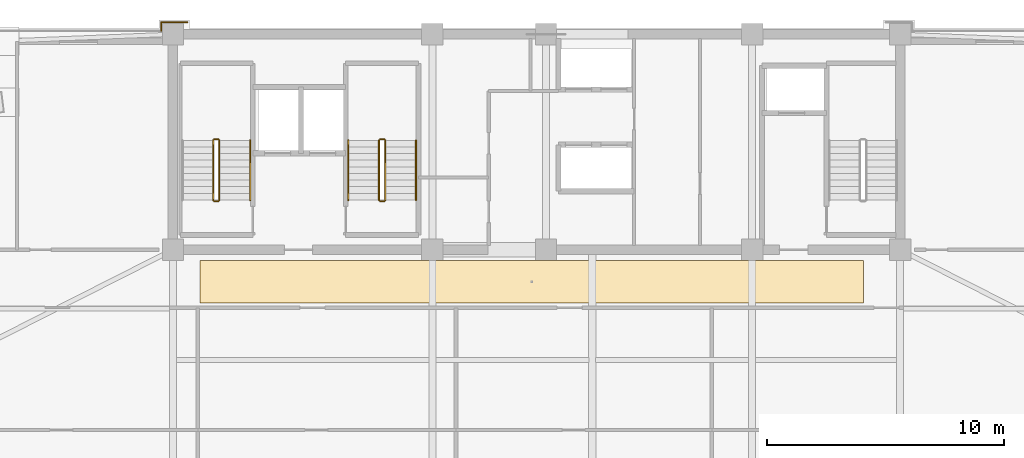
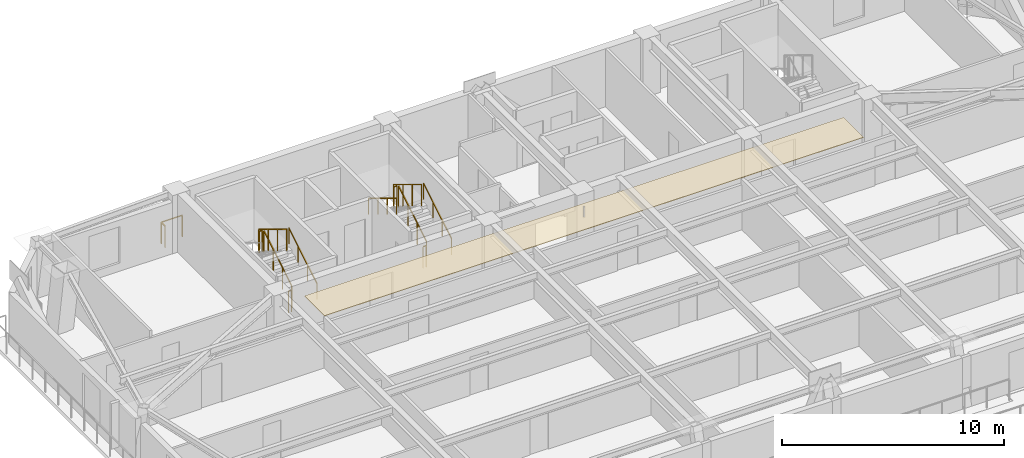
# One storey, part 14 of 15: 13 railings, 1 covering.
"""IFC4 building model written with IfcOpenShell, lengths in metres."""

from ifc_helpers import new_model, si_unit, direction, frame, origin, origin_2d, place, context, subcontext, project, spatial, polyline, rectangle, outline, extrude, material, layer, layer_set, type_object, element, save


model = new_model("IFC4")

# Units and contexts
model_context = context("Model", 3, precision=1e-05, world=origin(), true_north=direction((0.0, 1.0)))
body_context = subcontext(model_context, "Body", "Model", "MODEL_VIEW")
ifc_project = project(units=[si_unit("LENGTHUNIT", "METRE"), si_unit("AREAUNIT", "SQUARE_METRE"), si_unit("VOLUMEUNIT", "CUBIC_METRE"), si_unit("PLANEANGLEUNIT", "RADIAN"), si_unit("MASSUNIT", "GRAM", prefix="KILO")], contexts=[model_context])

# Site, building, storey
site_placement = place(None, origin())
site = spatial("IfcSite", under=ifc_project, at=site_placement, CompositionType="ELEMENT")
building_placement = place(site_placement, origin())
building = spatial("IfcBuilding", under=site, at=building_placement, Name="Giltprow Tower", CompositionType="ELEMENT")
storey_placement = place(building_placement, frame((0.0, 0.0, 290.39990234375)))
storey = spatial("IfcBuildingStorey", under=building, at=storey_placement, Name="L74", CompositionType="ELEMENT", Elevation=290.39990234375)

# Covering
ifc_material_1 = material(Name="Painted gypsum board", Category="gypsum")
ifc_layer = layer(ifc_material_1, 0.030029296875, Name="Painted gypsum board")
ifc_layer_set = layer_set([ifc_layer], Name="Painted gypsum board")
covering_type = type_object("IfcCoveringType", Name="COV-CLG-GYPSUM", PredefinedType="CEILING", material=ifc_layer_set)
covering_placement = place(storey_placement, frame((0.0, 0.0, 2.6201171875)))
element("IfcCovering", 1, at=covering_placement, inside=storey, type_object=covering_type, Name="L74 Residence Gallery Ceiling", PredefinedType="CEILING", context=body_context, shape_type="SweptSolid", body=[
    extrude(outline(polyline([(21.0, 35.199951171875), (49.0, 35.199951171875), (49.0, 37.0), (21.0, 37.0), (21.0, 35.199951171875)])), origin(), (0.0, 0.0, 1.0), 0.030029296875),
])

# Railings
ifc_material_2 = material(Name="Anodized bronze", Category="metal")
railing_type_1 = type_object("IfcRailingType", Name="RAIL-BALC-GUARD-1200", PredefinedType="BALUSTRADE", material=ifc_material_2)
railing_1_placement = place(storey_placement, frame((19.35009765625, 46.698974609375, 0.0)))
element("IfcRailing", 2, at=railing_1_placement, inside=storey, type_object=railing_type_1, Name="L74 Corner Apron Edge Balustrade 20", PredefinedType="BALUSTRADE", context=body_context, shape_type="SweptSolid", body=[
    extrude(rectangle(XDim=0.048095703125, YDim=0.048095703125, at=origin_2d()), frame((0.0, 0.0, 1.17578125), z_axis=(0.0, 1.0, 0.0), x_axis=(-1.0, 0.0, 0.0)), (0.0, 0.0, 1.0), 0.35107421875),
    extrude(rectangle(XDim=0.0419921875, YDim=0.0419921875, at=origin_2d()), origin(), (0.0, 0.0, 1.0), 1.15185546875),
    extrude(rectangle(XDim=0.0419921875, YDim=0.0419921875, at=origin_2d()), frame((0.0, 0.35107421875, 0.0)), (0.0, 0.0, 1.0), 1.15185546875),
])
railing_2_placement = place(storey_placement, frame((19.35009765625, 47.050048828125, 0.0)))
element("IfcRailing", 3, at=railing_2_placement, inside=storey, type_object=railing_type_1, Name="L74 Corner Apron Edge Balustrade 21", PredefinedType="BALUSTRADE", context=body_context, shape_type="SweptSolid", body=[
    extrude(rectangle(XDim=0.048095703125, YDim=0.048095703125, at=origin_2d()), frame((0.0, 0.0, 1.17578125), z_axis=(1.0, 0.0, 0.0), x_axis=(0.0, 1.0, 0.0)), (0.0, 0.0, 1.0), 1.099853515625),
    extrude(rectangle(XDim=0.0419921875, YDim=0.0419921875, at=origin_2d()), origin(), (0.0, 0.0, 1.0), 1.15185546875),
    extrude(rectangle(XDim=0.0419921875, YDim=0.0419921875, at=origin_2d()), frame((1.099853515625, 0.0, 0.0)), (0.0, 0.0, 1.0), 1.15185546875),
])
railing_type_2 = type_object("IfcRailingType", Name="RAIL-STAIR-GUARD-1200", PredefinedType="GUARDRAIL", material=ifc_material_2)
railing_3_placement = place(storey_placement, frame((21.81005859375, 39.550048828125, 0.170166015625)))
element("IfcRailing", 4, at=railing_3_placement, inside=storey, type_object=railing_type_2, Name="L74 ST-1 stair guard 1", PredefinedType="GUARDRAIL", context=body_context, shape_type="SweptSolid", body=[
    extrude(rectangle(XDim=0.048095703125, YDim=0.048095703125, at=origin_2d()), frame((0.0, 0.0, 1.17578125), z_axis=(0.0, 0.85478489116, 0.518982456201), x_axis=(-1.0, 0.0, 0.0)), (0.0, 0.0, 1.0), 2.9482421875),
    extrude(rectangle(XDim=0.0419921875, YDim=0.0419921875, at=origin_2d()), origin(), (0.0, 0.0, 1.0), 1.15185546875),
    extrude(rectangle(XDim=0.0419921875, YDim=0.0419921875, at=origin_2d()), frame((0.0, 0.840087890625, 0.510009765625)), (0.0, 0.0, 1.0), 1.15185546875),
    extrude(rectangle(XDim=0.0419921875, YDim=0.0419921875, at=origin_2d()), frame((0.0, 1.679931640625, 1.02001953125)), (0.0, 0.0, 1.0), 1.15185546875),
    extrude(rectangle(XDim=0.0419921875, YDim=0.0419921875, at=origin_2d()), frame((0.0, 2.52001953125, 1.530029296875)), (0.0, 0.0, 1.0), 1.15185546875),
])
railing_4_placement = place(storey_placement, frame((21.760009765625, 42.1201171875, 1.7001953125)))
element("IfcRailing", 5, at=railing_4_placement, inside=storey, type_object=railing_type_2, Name="L74 ST-1 stair guard 2", PredefinedType="GUARDRAIL", context=body_context, shape_type="SweptSolid", body=[
    extrude(rectangle(XDim=0.048095703125, YDim=0.048095703125, at=origin_2d()), frame((0.0, 0.0, 1.17578125), z_axis=(-1.0, 0.0, 0.0), x_axis=(0.0, -1.0, 0.0)), (0.0, 0.0, 1.0), 0.159912109375),
    extrude(rectangle(XDim=0.0419921875, YDim=0.0419921875, at=origin_2d()), origin(), (0.0, 0.0, 1.0), 1.15185546875),
    extrude(rectangle(XDim=0.0419921875, YDim=0.0419921875, at=origin_2d()), frame((-0.159912109375, 0.0, 0.0)), (0.0, 0.0, 1.0), 1.15185546875),
])
railing_5_placement = place(storey_placement, frame((21.550048828125, 42.070068359375, 1.8701171875)))
element("IfcRailing", 6, at=railing_5_placement, inside=storey, type_object=railing_type_2, Name="L74 ST-1 stair guard 3", PredefinedType="GUARDRAIL", context=body_context, shape_type="SweptSolid", body=[
    extrude(rectangle(XDim=0.048095703125, YDim=0.048095703125, at=origin_2d()), frame((0.0, 0.0, 1.17578125), z_axis=(0.0, -0.85478489116, 0.518982456201), x_axis=(1.0, 0.0, 0.0)), (0.0, 0.0, 1.0), 2.9482421875),
    extrude(rectangle(XDim=0.0419921875, YDim=0.0419921875, at=origin_2d()), origin(), (0.0, 0.0, 1.0), 1.15185546875),
    extrude(rectangle(XDim=0.0419921875, YDim=0.0419921875, at=origin_2d()), frame((0.0, -0.840087890625, 0.510009765625)), (0.0, 0.0, 1.0), 1.15185546875),
    extrude(rectangle(XDim=0.0419921875, YDim=0.0419921875, at=origin_2d()), frame((0.0, -1.679931640625, 1.02001953125)), (0.0, 0.0, 1.0), 1.15185546875),
    extrude(rectangle(XDim=0.0419921875, YDim=0.0419921875, at=origin_2d()), frame((0.0, -2.52001953125, 1.530029296875)), (0.0, 0.0, 1.0), 1.15185546875),
])
railing_6_placement = place(storey_placement, frame((21.760009765625, 39.5, 0.0)))
element("IfcRailing", 7, at=railing_6_placement, inside=storey, type_object=railing_type_2, Name="L74 ST-1 stair guard 4", PredefinedType="GUARDRAIL", context=body_context, shape_type="SweptSolid", body=[
    extrude(rectangle(XDim=0.048095703125, YDim=0.048095703125, at=origin_2d()), frame((0.0, 0.0, 1.17578125), z_axis=(-1.0, 0.0, 0.0), x_axis=(0.0, -1.0, 0.0)), (0.0, 0.0, 1.0), 0.159912109375),
    extrude(rectangle(XDim=0.0419921875, YDim=0.0419921875, at=origin_2d()), origin(), (0.0, 0.0, 1.0), 1.15185546875),
    extrude(rectangle(XDim=0.0419921875, YDim=0.0419921875, at=origin_2d()), frame((-0.159912109375, 0.0, 0.0)), (0.0, 0.0, 1.0), 1.15185546875),
])
railing_7_placement = place(storey_placement, frame((28.81005859375, 39.550048828125, 0.170166015625)))
element("IfcRailing", 8, at=railing_7_placement, inside=storey, type_object=railing_type_2, Name="L74 ST-2 stair guard 1", PredefinedType="GUARDRAIL", context=body_context, shape_type="SweptSolid", body=[
    extrude(rectangle(XDim=0.048095703125, YDim=0.048095703125, at=origin_2d()), frame((0.0, 0.0, 1.17578125), z_axis=(0.0, 0.85478489116, 0.518982456201), x_axis=(-1.0, 0.0, 0.0)), (0.0, 0.0, 1.0), 2.9482421875),
    extrude(rectangle(XDim=0.0419921875, YDim=0.0419921875, at=origin_2d()), origin(), (0.0, 0.0, 1.0), 1.15185546875),
    extrude(rectangle(XDim=0.0419921875, YDim=0.0419921875, at=origin_2d()), frame((0.0, 0.840087890625, 0.510009765625)), (0.0, 0.0, 1.0), 1.15185546875),
    extrude(rectangle(XDim=0.0419921875, YDim=0.0419921875, at=origin_2d()), frame((0.0, 1.679931640625, 1.02001953125)), (0.0, 0.0, 1.0), 1.15185546875),
    extrude(rectangle(XDim=0.0419921875, YDim=0.0419921875, at=origin_2d()), frame((0.0, 2.52001953125, 1.530029296875)), (0.0, 0.0, 1.0), 1.15185546875),
])
railing_8_placement = place(storey_placement, frame((28.760009765625, 42.1201171875, 1.7001953125)))
element("IfcRailing", 9, at=railing_8_placement, inside=storey, type_object=railing_type_2, Name="L74 ST-2 stair guard 2", PredefinedType="GUARDRAIL", context=body_context, shape_type="SweptSolid", body=[
    extrude(rectangle(XDim=0.048095703125, YDim=0.048095703125, at=origin_2d()), frame((0.0, 0.0, 1.17578125), z_axis=(-1.0, 0.0, 0.0), x_axis=(0.0, -1.0, 0.0)), (0.0, 0.0, 1.0), 0.159912109375),
    extrude(rectangle(XDim=0.0419921875, YDim=0.0419921875, at=origin_2d()), origin(), (0.0, 0.0, 1.0), 1.15185546875),
    extrude(rectangle(XDim=0.0419921875, YDim=0.0419921875, at=origin_2d()), frame((-0.159912109375, 0.0, 0.0)), (0.0, 0.0, 1.0), 1.15185546875),
])
railing_9_placement = place(storey_placement, frame((28.550048828125, 42.070068359375, 1.8701171875)))
element("IfcRailing", 10, at=railing_9_placement, inside=storey, type_object=railing_type_2, Name="L74 ST-2 stair guard 3", PredefinedType="GUARDRAIL", context=body_context, shape_type="SweptSolid", body=[
    extrude(rectangle(XDim=0.048095703125, YDim=0.048095703125, at=origin_2d()), frame((0.0, 0.0, 1.17578125), z_axis=(0.0, -0.85478489116, 0.518982456201), x_axis=(1.0, 0.0, 0.0)), (0.0, 0.0, 1.0), 2.9482421875),
    extrude(rectangle(XDim=0.0419921875, YDim=0.0419921875, at=origin_2d()), origin(), (0.0, 0.0, 1.0), 1.15185546875),
    extrude(rectangle(XDim=0.0419921875, YDim=0.0419921875, at=origin_2d()), frame((0.0, -0.840087890625, 0.510009765625)), (0.0, 0.0, 1.0), 1.15185546875),
    extrude(rectangle(XDim=0.0419921875, YDim=0.0419921875, at=origin_2d()), frame((0.0, -1.679931640625, 1.02001953125)), (0.0, 0.0, 1.0), 1.15185546875),
    extrude(rectangle(XDim=0.0419921875, YDim=0.0419921875, at=origin_2d()), frame((0.0, -2.52001953125, 1.530029296875)), (0.0, 0.0, 1.0), 1.15185546875),
])
railing_10_placement = place(storey_placement, frame((28.760009765625, 39.5, 0.0)))
element("IfcRailing", 11, at=railing_10_placement, inside=storey, type_object=railing_type_2, Name="L74 ST-2 stair guard 4", PredefinedType="GUARDRAIL", context=body_context, shape_type="SweptSolid", body=[
    extrude(rectangle(XDim=0.048095703125, YDim=0.048095703125, at=origin_2d()), frame((0.0, 0.0, 1.17578125), z_axis=(-1.0, 0.0, 0.0), x_axis=(0.0, -1.0, 0.0)), (0.0, 0.0, 1.0), 0.159912109375),
    extrude(rectangle(XDim=0.0419921875, YDim=0.0419921875, at=origin_2d()), origin(), (0.0, 0.0, 1.0), 1.15185546875),
    extrude(rectangle(XDim=0.0419921875, YDim=0.0419921875, at=origin_2d()), frame((-0.159912109375, 0.0, 0.0)), (0.0, 0.0, 1.0), 1.15185546875),
])
railing_type_3 = type_object("IfcRailingType", Name="RAIL-STAIR-HAND-900", PredefinedType="HANDRAIL", material=ifc_material_2)
for number, where, name in (
    (12, (23.110107421875, 39.550048828125, 0.170166015625), "L74 ST-1 stair handrail 1"),
    (13, (30.110107421875, 39.550048828125, 0.170166015625), "L74 ST-2 stair handrail 1"),
):
    element("IfcRailing", number, at=place(storey_placement, frame(where)), inside=storey, type_object=railing_type_3, Name=name, PredefinedType="HANDRAIL", context=body_context, shape_type="SweptSolid", body=[
        extrude(rectangle(XDim=0.048095703125, YDim=0.048095703125, at=origin_2d()), frame((0.0, 0.0, 0.8759765625), z_axis=(0.0, 0.85478489116, 0.518982456201), x_axis=(-1.0, 0.0, 0.0)), (0.0, 0.0, 1.0), 2.9482421875),
        extrude(rectangle(XDim=0.0419921875, YDim=0.0419921875, at=origin_2d()), origin(), (0.0, 0.0, 1.0), 0.851806640625),
        extrude(rectangle(XDim=0.0419921875, YDim=0.0419921875, at=origin_2d()), frame((0.0, 0.840087890625, 0.510009765625)), (0.0, 0.0, 1.0), 0.851806640625),
        extrude(rectangle(XDim=0.0419921875, YDim=0.0419921875, at=origin_2d()), frame((0.0, 1.679931640625, 1.02001953125)), (0.0, 0.0, 1.0), 0.851806640625),
        extrude(rectangle(XDim=0.0419921875, YDim=0.0419921875, at=origin_2d()), frame((0.0, 2.52001953125, 1.530029296875)), (0.0, 0.0, 1.0), 0.851806640625),
    ])
railing_11_placement = place(storey_placement, frame((27.25, 42.070068359375, 1.8701171875)))
element("IfcRailing", 14, at=railing_11_placement, inside=storey, type_object=railing_type_3, Name="L74 ST-2 stair handrail 2", PredefinedType="HANDRAIL", context=body_context, shape_type="SweptSolid", body=[
    extrude(rectangle(XDim=0.048095703125, YDim=0.048095703125, at=origin_2d()), frame((0.0, 0.0, 0.8759765625), z_axis=(0.0, -0.85478489116, 0.518982456201), x_axis=(1.0, 0.0, 0.0)), (0.0, 0.0, 1.0), 2.9482421875),
    extrude(rectangle(XDim=0.0419921875, YDim=0.0419921875, at=origin_2d()), origin(), (0.0, 0.0, 1.0), 0.851806640625),
    extrude(rectangle(XDim=0.0419921875, YDim=0.0419921875, at=origin_2d()), frame((0.0, -0.840087890625, 0.510009765625)), (0.0, 0.0, 1.0), 0.851806640625),
    extrude(rectangle(XDim=0.0419921875, YDim=0.0419921875, at=origin_2d()), frame((0.0, -1.679931640625, 1.02001953125)), (0.0, 0.0, 1.0), 0.851806640625),
    extrude(rectangle(XDim=0.0419921875, YDim=0.0419921875, at=origin_2d()), frame((0.0, -2.52001953125, 1.530029296875)), (0.0, 0.0, 1.0), 0.851806640625),
])

save(model, "model.ifc")
